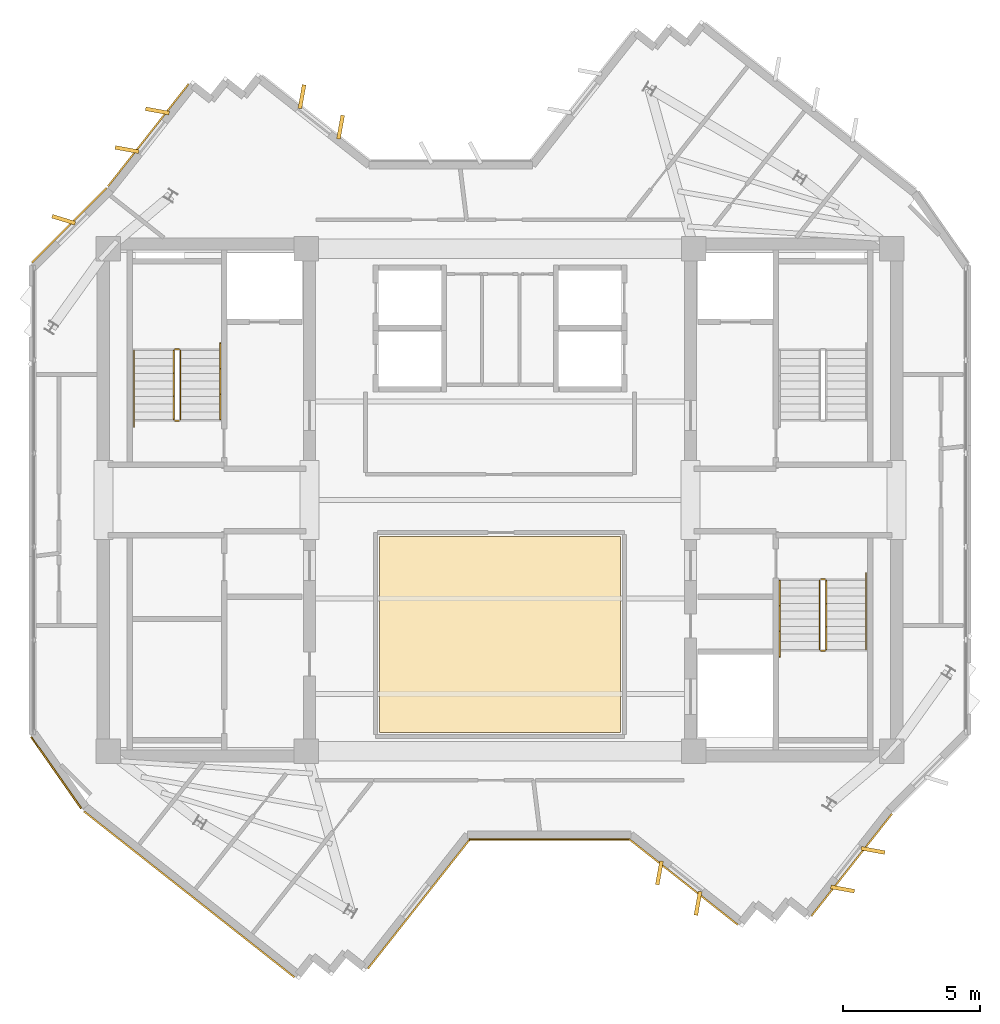
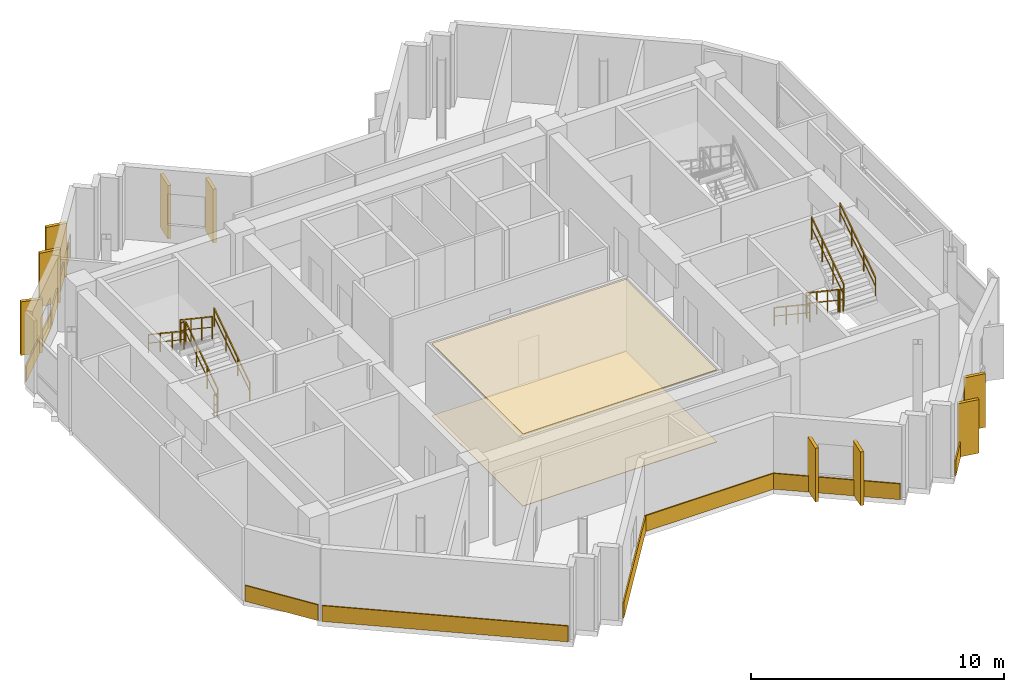
# One storey, part 9 of 10: 19 coverings, 12 railings.
"""IFC4 building model written with IfcOpenShell, lengths in metres."""

from ifc_helpers import new_model, si_unit, direction, frame, origin, origin_2d, place, context, subcontext, project, spatial, polyline, rectangle, outline, extrude, source, transform, mapped, material, layer, layer_set, type_object, element, save


model = new_model("IFC4")

# Units and contexts
model_context = context("Model", 3, precision=1e-05, world=origin(), true_north=direction((0.0, 1.0)))
body_context = subcontext(model_context, "Body", "Model", "MODEL_VIEW")
ifc_project = project(units=[si_unit("LENGTHUNIT", "METRE"), si_unit("AREAUNIT", "SQUARE_METRE"), si_unit("VOLUMEUNIT", "CUBIC_METRE"), si_unit("PLANEANGLEUNIT", "RADIAN"), si_unit("MASSUNIT", "GRAM", prefix="KILO")], contexts=[model_context])

# Site, building, storey
site_placement = place(None, origin())
site = spatial("IfcSite", under=ifc_project, at=site_placement, CompositionType="ELEMENT")
building_placement = place(site_placement, origin())
building = spatial("IfcBuilding", under=site, at=building_placement, Name="Zahravan Cultural Tower", CompositionType="ELEMENT")
storey_placement = place(building_placement, frame((0.0, 0.0, 327.300048828125)))
storey = spatial("IfcBuildingStorey", under=building, at=storey_placement, Name="L79", CompositionType="ELEMENT", Elevation=327.300048828125)

# Coverings
ifc_material_1 = material(Name="Acoustic mineral fibreboard")
ifc_layer_1 = layer(ifc_material_1, 0.0400390625)
ifc_layer_set_1 = layer_set([ifc_layer_1], Name="Acoustic mineral fibreboard")
covering_type_1 = type_object("IfcCoveringType", Name="COV-CEIL-AC20", PredefinedType="CEILING", material=ifc_layer_set_1)
covering_1_placement = place(storey_placement, frame((0.0, 0.0, 3.4599609375)))
element("IfcCovering", 1, at=covering_1_placement, inside=storey, type_object=covering_type_1, Name="L79 Acoustic Suspended Ceiling", PredefinedType="CEILING", context=body_context, shape_type="SweptSolid", body=[
    extrude(outline(polyline([(40.419921875, 25.669921875), (31.580078125, 25.669921875), (31.580078125, 18.47998046875), (40.419921875, 18.47998046875), (40.419921875, 25.669921875)])), origin(), (0.0, 0.0, 1.0), 0.0400390625),
])
ifc_material_2 = material(Name="Terrazzo flooring")
ifc_layer_2 = layer(ifc_material_2, 0.02490234375)
ifc_layer_set_2 = layer_set([ifc_layer_2], Name="Terrazzo flooring")
covering_type_2 = type_object("IfcCoveringType", Name="COV-FLR-TZ25", PredefinedType="FLOORING", material=ifc_layer_set_2)
covering_2_placement = place(storey_placement, origin())
element("IfcCovering", 2, at=covering_2_placement, inside=storey, type_object=covering_type_2, Name="L79 Polished Terrazzo Flooring", PredefinedType="FLOORING", context=body_context, shape_type="SweptSolid", body=[
    extrude(outline(polyline([(40.419921875, 25.669921875), (31.580078125, 25.669921875), (31.580078125, 18.47998046875), (40.419921875, 18.47998046875), (40.419921875, 25.669921875)])), origin(), (0.0, 0.0, 1.0), 0.02490234375),
])

# Railings
ifc_material_3 = material(Name="Steel ASTM A572 Grade 50", Category="steel")
railing_type_1 = type_object("IfcRailingType", Name="RL-STAIR-GRD1150", PredefinedType="BALUSTRADE", material=ifc_material_3)
railing_1_placement = place(storey_placement, frame((24.300048828125, 29.949951171875, 0.1875)))
element("IfcRailing", 3, at=railing_1_placement, inside=storey, type_object=railing_type_1, Name="L79 ST-W1 stair guard 1", PredefinedType="BALUSTRADE", context=body_context, shape_type="SweptSolid", body=[
    extrude(rectangle(XDim=0.05, YDim=0.05, at=origin_2d()), frame((0.0, 0.0, 1.0751953125), z_axis=(0.0, 0.830909170722, 0.55640807867), x_axis=(-1.0, 0.0, 0.0)), (0.0, 0.0, 1.0), 3.032958984375),
    extrude(rectangle(XDim=0.032, YDim=0.032, at=origin_2d()), frame((0.0, 0.0, 0.572021484375), z_axis=(0.0, 0.830909170722, 0.55640807867), x_axis=(-1.0, 0.0, 0.0)), (0.0, 0.0, 1.0), 3.032958984375),
    extrude(rectangle(XDim=0.04, YDim=0.04, at=origin_2d()), origin(), (0.0, 0.0, 1.0), 1.10009765625),
    extrude(rectangle(XDim=0.04, YDim=0.04, at=origin_2d()), frame((0.0, 0.840087890625, 0.5625)), (0.0, 0.0, 1.0), 1.10009765625),
    extrude(rectangle(XDim=0.04, YDim=0.04, at=origin_2d()), frame((0.0, 1.679931640625, 1.125)), (0.0, 0.0, 1.0), 1.10009765625),
    extrude(rectangle(XDim=0.04, YDim=0.04, at=origin_2d()), frame((0.0, 2.52001953125, 1.6875)), (0.0, 0.0, 1.0), 1.10009765625),
])
railing_2_placement = place(storey_placement, frame((24.25, 32.52001953125, 1.875)))
element("IfcRailing", 4, at=railing_2_placement, inside=storey, type_object=railing_type_1, Name="L79 ST-W1 stair guard 2", PredefinedType="BALUSTRADE", context=body_context, shape_type="SweptSolid", body=[
    extrude(rectangle(XDim=0.05, YDim=0.05, at=origin_2d()), frame((0.0, 0.0, 1.0751953125), z_axis=(-1.0, 0.0, 0.0), x_axis=(0.0, -1.0, 0.0)), (0.0, 0.0, 1.0), 0.14990234375),
    extrude(rectangle(XDim=0.032, YDim=0.032, at=origin_2d()), frame((0.0, 0.0, 0.572021484375), z_axis=(-1.0, 0.0, 0.0), x_axis=(0.0, -1.0, 0.0)), (0.0, 0.0, 1.0), 0.14990234375),
    extrude(rectangle(XDim=0.04, YDim=0.04, at=origin_2d()), origin(), (0.0, 0.0, 1.0), 1.10009765625),
    extrude(rectangle(XDim=0.04, YDim=0.04, at=origin_2d()), frame((-0.14990234375, 0.0, 0.0)), (0.0, 0.0, 1.0), 1.10009765625),
])
railing_3_placement = place(storey_placement, frame((24.050048828125, 32.469970703125, 2.0625)))
element("IfcRailing", 5, at=railing_3_placement, inside=storey, type_object=railing_type_1, Name="L79 ST-W1 stair guard 3", PredefinedType="BALUSTRADE", context=body_context, shape_type="SweptSolid", body=[
    extrude(rectangle(XDim=0.05, YDim=0.05, at=origin_2d()), frame((0.0, 0.0, 1.0751953125), z_axis=(0.0, -0.830909170722, 0.55640807867), x_axis=(1.0, 0.0, 0.0)), (0.0, 0.0, 1.0), 3.032958984375),
    extrude(rectangle(XDim=0.032, YDim=0.032, at=origin_2d()), frame((0.0, 0.0, 0.572021484375), z_axis=(0.0, -0.830909170722, 0.55640807867), x_axis=(1.0, 0.0, 0.0)), (0.0, 0.0, 1.0), 3.032958984375),
    extrude(rectangle(XDim=0.04, YDim=0.04, at=origin_2d()), origin(), (0.0, 0.0, 1.0), 1.10009765625),
    extrude(rectangle(XDim=0.04, YDim=0.04, at=origin_2d()), frame((0.0, -0.840087890625, 0.5625)), (0.0, 0.0, 1.0), 1.10009765625),
    extrude(rectangle(XDim=0.04, YDim=0.04, at=origin_2d()), frame((0.0, -1.679931640625, 1.125)), (0.0, 0.0, 1.0), 1.10009765625),
    extrude(rectangle(XDim=0.04, YDim=0.04, at=origin_2d()), frame((0.0, -2.52001953125, 1.6875)), (0.0, 0.0, 1.0), 1.10009765625),
])
railing_4_placement = place(storey_placement, frame((24.25, 29.89990234375, 0.0)))
element("IfcRailing", 6, at=railing_4_placement, inside=storey, type_object=railing_type_1, Name="L79 ST-W1 stair guard 4", PredefinedType="BALUSTRADE", context=body_context, shape_type="SweptSolid", body=[
    extrude(rectangle(XDim=0.05, YDim=0.05, at=origin_2d()), frame((0.0, 0.0, 1.0751953125), z_axis=(-1.0, 0.0, 0.0), x_axis=(0.0, -1.0, 0.0)), (0.0, 0.0, 1.0), 0.14990234375),
    extrude(rectangle(XDim=0.032, YDim=0.032, at=origin_2d()), frame((0.0, 0.0, 0.572021484375), z_axis=(-1.0, 0.0, 0.0), x_axis=(0.0, -1.0, 0.0)), (0.0, 0.0, 1.0), 0.14990234375),
    extrude(rectangle(XDim=0.04, YDim=0.04, at=origin_2d()), origin(), (0.0, 0.0, 1.0), 1.10009765625),
    extrude(rectangle(XDim=0.04, YDim=0.04, at=origin_2d()), frame((-0.14990234375, 0.0, 0.0)), (0.0, 0.0, 1.0), 1.10009765625),
])
railing_5_placement = place(storey_placement, frame((47.699951171875, 24.050048828125, 0.1875)))
element("IfcRailing", 7, at=railing_5_placement, inside=storey, type_object=railing_type_1, Name="L79 ST-E2 stair guard 1", PredefinedType="BALUSTRADE", context=body_context, shape_type="SweptSolid", body=[
    extrude(rectangle(XDim=0.05, YDim=0.05, at=origin_2d()), frame((0.0, 0.0, 1.0751953125), z_axis=(0.0, -0.830909170722, 0.55640807867), x_axis=(1.0, 0.0, 0.0)), (0.0, 0.0, 1.0), 3.032958984375),
    extrude(rectangle(XDim=0.032, YDim=0.032, at=origin_2d()), frame((0.0, 0.0, 0.572021484375), z_axis=(0.0, -0.830909170722, 0.55640807867), x_axis=(1.0, 0.0, 0.0)), (0.0, 0.0, 1.0), 3.032958984375),
    extrude(rectangle(XDim=0.04, YDim=0.04, at=origin_2d()), origin(), (0.0, 0.0, 1.0), 1.10009765625),
    extrude(rectangle(XDim=0.04, YDim=0.04, at=origin_2d()), frame((0.0, -0.840087890625, 0.5625)), (0.0, 0.0, 1.0), 1.10009765625),
    extrude(rectangle(XDim=0.04, YDim=0.04, at=origin_2d()), frame((0.0, -1.679931640625, 1.125)), (0.0, 0.0, 1.0), 1.10009765625),
    extrude(rectangle(XDim=0.04, YDim=0.04, at=origin_2d()), frame((0.0, -2.52001953125, 1.6875)), (0.0, 0.0, 1.0), 1.10009765625),
])
railing_6_placement = place(storey_placement, frame((47.75, 21.47998046875, 1.875)))
element("IfcRailing", 8, at=railing_6_placement, inside=storey, type_object=railing_type_1, Name="L79 ST-E2 stair guard 2", PredefinedType="BALUSTRADE", context=body_context, shape_type="SweptSolid", body=[
    extrude(rectangle(XDim=0.05, YDim=0.05, at=origin_2d()), frame((0.0, 0.0, 1.0751953125), z_axis=(1.0, 0.0, 0.0), x_axis=(0.0, 1.0, 0.0)), (0.0, 0.0, 1.0), 0.14990234375),
    extrude(rectangle(XDim=0.032, YDim=0.032, at=origin_2d()), frame((0.0, 0.0, 0.572021484375), z_axis=(1.0, 0.0, 0.0), x_axis=(0.0, 1.0, 0.0)), (0.0, 0.0, 1.0), 0.14990234375),
    extrude(rectangle(XDim=0.04, YDim=0.04, at=origin_2d()), origin(), (0.0, 0.0, 1.0), 1.10009765625),
    extrude(rectangle(XDim=0.04, YDim=0.04, at=origin_2d()), frame((0.14990234375, 0.0, 0.0)), (0.0, 0.0, 1.0), 1.10009765625),
])
railing_7_placement = place(storey_placement, frame((47.949951171875, 21.530029296875, 2.0625)))
element("IfcRailing", 9, at=railing_7_placement, inside=storey, type_object=railing_type_1, Name="L79 ST-E2 stair guard 3", PredefinedType="BALUSTRADE", context=body_context, shape_type="SweptSolid", body=[
    extrude(rectangle(XDim=0.05, YDim=0.05, at=origin_2d()), frame((0.0, 0.0, 1.0751953125), z_axis=(0.0, 0.830909170722, 0.55640807867), x_axis=(-1.0, 0.0, 0.0)), (0.0, 0.0, 1.0), 3.032958984375),
    extrude(rectangle(XDim=0.032, YDim=0.032, at=origin_2d()), frame((0.0, 0.0, 0.572021484375), z_axis=(0.0, 0.830909170722, 0.55640807867), x_axis=(-1.0, 0.0, 0.0)), (0.0, 0.0, 1.0), 3.032958984375),
    extrude(rectangle(XDim=0.04, YDim=0.04, at=origin_2d()), origin(), (0.0, 0.0, 1.0), 1.10009765625),
    extrude(rectangle(XDim=0.04, YDim=0.04, at=origin_2d()), frame((0.0, 0.840087890625, 0.5625)), (0.0, 0.0, 1.0), 1.10009765625),
    extrude(rectangle(XDim=0.04, YDim=0.04, at=origin_2d()), frame((0.0, 1.679931640625, 1.125)), (0.0, 0.0, 1.0), 1.10009765625),
    extrude(rectangle(XDim=0.04, YDim=0.04, at=origin_2d()), frame((0.0, 2.52001953125, 1.6875)), (0.0, 0.0, 1.0), 1.10009765625),
])
railing_8_placement = place(storey_placement, frame((47.75, 24.10009765625, 0.0)))
element("IfcRailing", 10, at=railing_8_placement, inside=storey, type_object=railing_type_1, Name="L79 ST-E2 stair guard 4", PredefinedType="BALUSTRADE", context=body_context, shape_type="SweptSolid", body=[
    extrude(rectangle(XDim=0.05, YDim=0.05, at=origin_2d()), frame((0.0, 0.0, 1.0751953125), z_axis=(1.0, 0.0, 0.0), x_axis=(0.0, 1.0, 0.0)), (0.0, 0.0, 1.0), 0.14990234375),
    extrude(rectangle(XDim=0.032, YDim=0.032, at=origin_2d()), frame((0.0, 0.0, 0.572021484375), z_axis=(1.0, 0.0, 0.0), x_axis=(0.0, 1.0, 0.0)), (0.0, 0.0, 1.0), 0.14990234375),
    extrude(rectangle(XDim=0.04, YDim=0.04, at=origin_2d()), origin(), (0.0, 0.0, 1.0), 1.10009765625),
    extrude(rectangle(XDim=0.04, YDim=0.04, at=origin_2d()), frame((0.14990234375, 0.0, 0.0)), (0.0, 0.0, 1.0), 1.10009765625),
])
railing_type_2 = type_object("IfcRailingType", Name="RL-STAIR-HR900", PredefinedType="HANDRAIL", material=ifc_material_3)
railing_9_placement = place(storey_placement, frame((25.75, 29.949951171875, 0.1875)))
element("IfcRailing", 11, at=railing_9_placement, inside=storey, type_object=railing_type_2, Name="L79 ST-W1 stair handrail 1", PredefinedType="HANDRAIL", context=body_context, shape_type="SweptSolid", body=[
    extrude(rectangle(XDim=0.05, YDim=0.05, at=origin_2d()), frame((0.0, 0.0, 0.875), z_axis=(0.0, 0.830911662861, 0.55640435703), x_axis=(-1.0, 0.0, 0.0)), (0.0, 0.0, 1.0), 3.369873046875),
    extrude(rectangle(XDim=0.032, YDim=0.032, at=origin_2d()), frame((0.0, 0.0, 0.468017578125), z_axis=(0.0, 0.830911662861, 0.55640435703), x_axis=(-1.0, 0.0, 0.0)), (0.0, 0.0, 1.0), 3.369873046875),
    extrude(rectangle(XDim=0.04, YDim=0.04, at=origin_2d()), origin(), (0.0, 0.0, 1.0), 0.89990234375),
    extrude(rectangle(XDim=0.04, YDim=0.04, at=origin_2d()), frame((0.0, 0.933349609375, 0.625)), (0.0, 0.0, 1.0), 0.89990234375),
    extrude(rectangle(XDim=0.04, YDim=0.04, at=origin_2d()), frame((0.0, 1.86669921875, 1.25)), (0.0, 0.0, 1.0), 0.89990234375),
    extrude(rectangle(XDim=0.04, YDim=0.04, at=origin_2d()), frame((0.0, 2.800048828125, 1.875)), (0.0, 0.0, 1.0), 0.89990234375),
])
for number, where, name in (
    (12, (22.60009765625, 32.469970703125, 2.0625), "L79 ST-W1 stair handrail 2"),
    (13, (46.25, 24.050048828125, 0.1875), "L79 ST-E2 stair handrail 1"),
):
    element("IfcRailing", number, at=place(storey_placement, frame(where)), inside=storey, type_object=railing_type_2, Name=name, PredefinedType="HANDRAIL", context=body_context, shape_type="SweptSolid", body=[
        extrude(rectangle(XDim=0.05, YDim=0.05, at=origin_2d()), frame((0.0, 0.0, 0.875), z_axis=(0.0, -0.830911662861, 0.55640435703), x_axis=(1.0, 0.0, 0.0)), (0.0, 0.0, 1.0), 3.369873046875),
        extrude(rectangle(XDim=0.032, YDim=0.032, at=origin_2d()), frame((0.0, 0.0, 0.468017578125), z_axis=(0.0, -0.830911662861, 0.55640435703), x_axis=(1.0, 0.0, 0.0)), (0.0, 0.0, 1.0), 3.369873046875),
        extrude(rectangle(XDim=0.04, YDim=0.04, at=origin_2d()), origin(), (0.0, 0.0, 1.0), 0.89990234375),
        extrude(rectangle(XDim=0.04, YDim=0.04, at=origin_2d()), frame((0.0, -0.933349609375, 0.625)), (0.0, 0.0, 1.0), 0.89990234375),
        extrude(rectangle(XDim=0.04, YDim=0.04, at=origin_2d()), frame((0.0, -1.86669921875, 1.25)), (0.0, 0.0, 1.0), 0.89990234375),
        extrude(rectangle(XDim=0.04, YDim=0.04, at=origin_2d()), frame((0.0, -2.800048828125, 1.875)), (0.0, 0.0, 1.0), 0.89990234375),
    ])
railing_10_placement = place(storey_placement, frame((49.39990234375, 21.530029296875, 2.0625)))
element("IfcRailing", 14, at=railing_10_placement, inside=storey, type_object=railing_type_2, Name="L79 ST-E2 stair handrail 2", PredefinedType="HANDRAIL", context=body_context, shape_type="SweptSolid", body=[
    extrude(rectangle(XDim=0.05, YDim=0.05, at=origin_2d()), frame((0.0, 0.0, 0.875), z_axis=(0.0, 0.830911662861, 0.55640435703), x_axis=(-1.0, 0.0, 0.0)), (0.0, 0.0, 1.0), 3.369873046875),
    extrude(rectangle(XDim=0.032, YDim=0.032, at=origin_2d()), frame((0.0, 0.0, 0.468017578125), z_axis=(0.0, 0.830911662861, 0.55640435703), x_axis=(-1.0, 0.0, 0.0)), (0.0, 0.0, 1.0), 3.369873046875),
    extrude(rectangle(XDim=0.04, YDim=0.04, at=origin_2d()), origin(), (0.0, 0.0, 1.0), 0.89990234375),
    extrude(rectangle(XDim=0.04, YDim=0.04, at=origin_2d()), frame((0.0, 0.933349609375, 0.625)), (0.0, 0.0, 1.0), 0.89990234375),
    extrude(rectangle(XDim=0.04, YDim=0.04, at=origin_2d()), frame((0.0, 1.86669921875, 1.25)), (0.0, 0.0, 1.0), 0.89990234375),
    extrude(rectangle(XDim=0.04, YDim=0.04, at=origin_2d()), frame((0.0, 2.800048828125, 1.875)), (0.0, 0.0, 1.0), 0.89990234375),
])

# Coverings
ifc_material_4 = material(Name="Terracotta ceramic cladding", Category="masonry")
ifc_layer_3 = layer(ifc_material_4, 0.06005859375)
ifc_layer_set_3 = layer_set([ifc_layer_3], Name="Terracotta ceramic cladding")
covering_type_3 = type_object("IfcCoveringType", Name="COV-CLAD-TC60", PredefinedType="CLADDING", material=ifc_layer_set_3)
shared_shape_1 = source(origin(), body_context, "Body", "SweptSolid", [
    extrude(rectangle(XDim=9.820068359375, YDim=0.06005859375, at=origin_2d()), origin(), (0.0, 0.0, 1.0), 0.760009765625),
])
covering_3_placement = place(storey_placement, frame((24.617919921875, 12.56201171875, 0.02001953125), z_axis=(0.0, 0.0, 1.0), x_axis=(-0.785316930881, 0.61909394931, 0.0)))
element("IfcCovering", 15, at=covering_3_placement, inside=storey, type_object=covering_type_3, Name="L79 Terracotta Spandrel Cladding 29", PredefinedType="CLADDING", context=body_context, shape_type="MappedRepresentation", body=[
    mapped(shared_shape_1, transform((0.0, 0.0, 0.0), x_axis=(1.0, 0.0, 0.0), y_axis=(0.0, 1.0, 0.0), z_axis=(0.0, 0.0, 1.0), scale=1.0)),
])
shared_shape_2 = source(origin(), body_context, "Body", "SweptSolid", [
    extrude(rectangle(XDim=0.8798828125, YDim=0.139892578125, at=origin_2d()), origin(), (0.0, 0.0, 1.0), 2.580078125),
])
for number, where, z_axis, x_axis, name in (
    (16, (20.023193359375, 37.261474609375, 0.0498046875), (0.0, 0.0, 1.0), (-0.956304755963, 0.292371704723, 0.0), "L79 Herringbone Terracotta Fin 01"),
    (17, (22.341796875, 39.83154296875, 0.0498046875), (0.0, 0.0, 1.0), (-0.984040697646, 0.177943545474, 0.0), "L79 Herringbone Terracotta Fin 02"),
    (18, (23.456298828125, 41.2451171875, 0.0498046875), (0.0, 0.0, 1.0), (-0.984040697646, 0.177943545474, 0.0), "L79 Herringbone Terracotta Fin 03"),
    (19, (28.749755859375, 41.769287109375, 0.0498046875), (0.0, 0.0, 1.0), (0.177943545474, 0.984040697646, 0.0), "L79 Herringbone Terracotta Fin 04"),
    (20, (30.163330078125, 40.655029296875, 0.0498046875), (0.0, 0.0, 1.0), (0.177943545474, 0.984040697646, 0.0), "L79 Herringbone Terracotta Fin 05"),
    (21, (49.658203125, 14.16845703125, 0.0498046875), (0.0, 0.0, 1.0), (0.984040697646, -0.177943545474, 0.0), "L79 Herringbone Terracotta Fin 14"),
    (22, (48.543701171875, 12.7548828125, 0.0498046875), (0.0, 0.0, 1.0), (0.984040697646, -0.177943545474, 0.0), "L79 Herringbone Terracotta Fin 15"),
    (23, (43.250244140625, 12.230712890625, 0.0498046875), (0.0, 0.0, 1.0), (-0.177943545474, -0.984040697646, 0.0), "L79 Herringbone Terracotta Fin 16"),
    (24, (41.836669921875, 13.344970703125, 0.0498046875), (0.0, 0.0, 1.0), (-0.177943545474, -0.984040697646, 0.0), "L79 Herringbone Terracotta Fin 17"),
):
    element("IfcCovering", number, at=place(storey_placement, frame(where, z_axis=z_axis, x_axis=x_axis)), inside=storey, type_object=covering_type_3, Name=name, PredefinedType="CLADDING", context=body_context, shape_type="MappedRepresentation", body=[
        mapped(shared_shape_2, transform((0.0, 0.0, 0.0), x_axis=(1.0, 0.0, 0.0), y_axis=(0.0, 1.0, 0.0), z_axis=(0.0, 0.0, 1.0), scale=1.0)),
    ])
shared_shape_3 = source(origin(), body_context, "Body", "SweptSolid", [
    extrude(rectangle(XDim=3.86328125, YDim=0.06005859375, at=origin_2d()), origin(), (0.0, 0.0, 1.0), 0.760009765625),
])
covering_4_placement = place(storey_placement, frame((20.224609375, 37.059814453125, 0.02001953125), z_axis=(0.0, 0.0, 1.0), x_axis=(0.707106781187, 0.707106781187, 0.0)))
element("IfcCovering", 25, at=covering_4_placement, inside=storey, type_object=covering_type_3, Name="L79 Terracotta Spandrel Cladding 01", PredefinedType="CLADDING", context=body_context, shape_type="MappedRepresentation", body=[
    mapped(shared_shape_3, transform((0.0, 0.0, 0.0), x_axis=(1.0, 0.0, 0.0), y_axis=(0.0, 1.0, 0.0), z_axis=(0.0, 0.0, 1.0), scale=1.0)),
])
shared_shape_4 = source(origin(), body_context, "Body", "SweptSolid", [
    extrude(rectangle(XDim=4.77783203125, YDim=0.06005859375, at=origin_2d()), origin(), (0.0, 0.0, 1.0), 0.760009765625),
])
for number, where, z_axis, x_axis, name in (
    (26, (23.122802734375, 40.362060546875, 0.02001953125), (0.0, 0.0, 1.0), (0.61909394931, 0.785316930881, 0.0), "L79 Terracotta Spandrel Cladding 02"),
    (27, (48.877197265625, 13.637939453125, 0.02001953125), (0.0, 0.0, 1.0), (-0.61909394931, -0.785316930881, 0.0), "L79 Terracotta Spandrel Cladding 17"),
):
    element("IfcCovering", number, at=place(storey_placement, frame(where, z_axis=z_axis, x_axis=x_axis)), inside=storey, type_object=covering_type_3, Name=name, PredefinedType="CLADDING", context=body_context, shape_type="MappedRepresentation", body=[
        mapped(shared_shape_4, transform((0.0, 0.0, 0.0), x_axis=(1.0, 0.0, 0.0), y_axis=(0.0, 1.0, 0.0), z_axis=(0.0, 0.0, 1.0), scale=1.0)),
    ])
shared_shape_5 = source(origin(), body_context, "Body", "SweptSolid", [
    extrude(rectangle(XDim=5.065185546875, YDim=0.06005859375, at=origin_2d()), origin(), (0.0, 0.0, 1.0), 0.760009765625),
])
covering_5_placement = place(storey_placement, frame((42.719970703125, 13.01171875, 0.02001953125), z_axis=(0.0, 0.0, 1.0), x_axis=(-0.785316930881, 0.61909394931, 0.0)))
element("IfcCovering", 28, at=covering_5_placement, inside=storey, type_object=covering_type_3, Name="L79 Terracotta Spandrel Cladding 22", PredefinedType="CLADDING", context=body_context, shape_type="MappedRepresentation", body=[
    mapped(shared_shape_5, transform((0.0, 0.0, 0.0), x_axis=(1.0, 0.0, 0.0), y_axis=(0.0, 1.0, 0.0), z_axis=(0.0, 0.0, 1.0), scale=1.0)),
])
shared_shape_6 = source(origin(), body_context, "Body", "SweptSolid", [
    extrude(rectangle(XDim=5.87841796875, YDim=0.06005859375, at=origin_2d()), origin(), (0.0, 0.0, 1.0), 0.760009765625),
])
covering_6_placement = place(storey_placement, frame((37.8046875, 14.574951171875, 0.02001953125), z_axis=(0.0, 0.0, 1.0), x_axis=(-1.0, 0.0, 0.0)))
element("IfcCovering", 29, at=covering_6_placement, inside=storey, type_object=covering_type_3, Name="L79 Terracotta Spandrel Cladding 23", PredefinedType="CLADDING", context=body_context, shape_type="MappedRepresentation", body=[
    mapped(shared_shape_6, transform((0.0, 0.0, 0.0), x_axis=(1.0, 0.0, 0.0), y_axis=(0.0, 1.0, 0.0), z_axis=(0.0, 0.0, 1.0), scale=1.0)),
])
shared_shape_7 = source(origin(), body_context, "Body", "SweptSolid", [
    extrude(rectangle(XDim=6.058837890625, YDim=0.06005859375, at=origin_2d()), origin(), (0.0, 0.0, 1.0), 0.760009765625),
])
covering_7_placement = place(storey_placement, frame((33.038818359375, 12.219482421875, 0.02001953125), z_axis=(0.0, 0.0, 1.0), x_axis=(-0.61909394931, -0.785316930881, 0.0)))
element("IfcCovering", 30, at=covering_7_placement, inside=storey, type_object=covering_type_3, Name="L79 Terracotta Spandrel Cladding 24", PredefinedType="CLADDING", context=body_context, shape_type="MappedRepresentation", body=[
    mapped(shared_shape_7, transform((0.0, 0.0, 0.0), x_axis=(1.0, 0.0, 0.0), y_axis=(0.0, 1.0, 0.0), z_axis=(0.0, 0.0, 1.0), scale=1.0)),
])
shared_shape_8 = source(origin(), body_context, "Body", "SweptSolid", [
    extrude(rectangle(XDim=3.189208984375, YDim=0.06005859375, at=origin_2d()), origin(), (0.0, 0.0, 1.0), 0.760009765625),
])
covering_8_placement = place(storey_placement, frame((19.747314453125, 17.015625, 0.02001953125), z_axis=(0.0, 0.0, 1.0), x_axis=(-0.573033028033, 0.8195322744, 0.0)))
element("IfcCovering", 31, at=covering_8_placement, inside=storey, type_object=covering_type_3, Name="L79 Terracotta Spandrel Cladding 30", PredefinedType="CLADDING", context=body_context, shape_type="MappedRepresentation", body=[
    mapped(shared_shape_8, transform((0.0, 0.0, 0.0), x_axis=(1.0, 0.0, 0.0), y_axis=(0.0, 1.0, 0.0), z_axis=(0.0, 0.0, 1.0), scale=1.0)),
])

save(model, "model.ifc")
